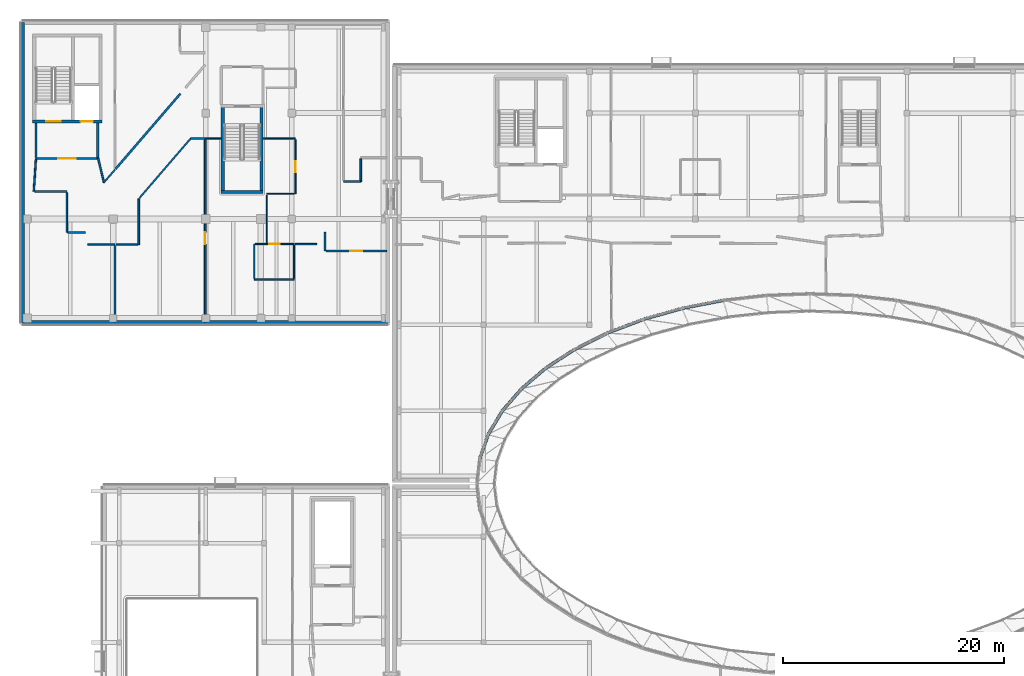
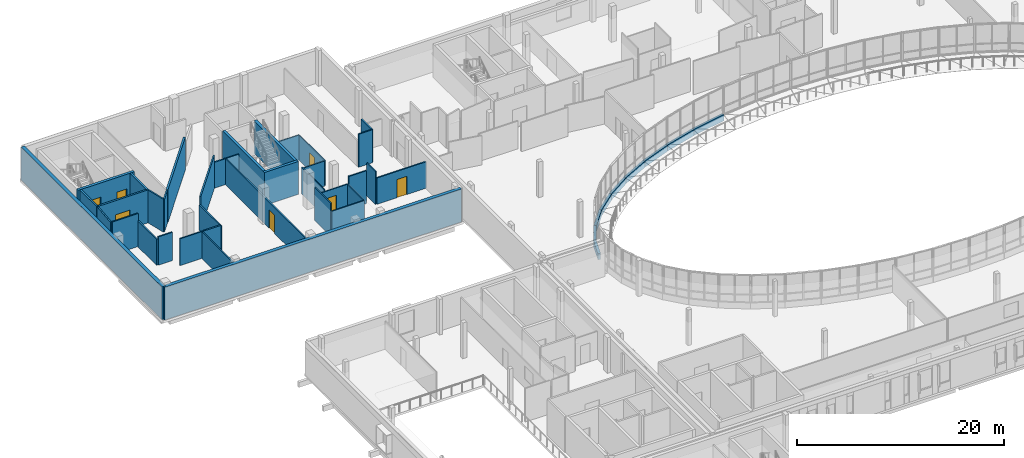
# One storey, part 44 of 73: 46 walls, 7 doors, 7 openings.
"""IFC4 building model written with IfcOpenShell, lengths in metres."""

from ifc_helpers import new_model, si_unit, direction, frame, frame_2d, origin, place, context, subcontext, project, spatial, rectangle, extrude, material, layer, layer_set, type_object, element, fill, save


model = new_model("IFC4")

# Units and contexts
model_context = context("Model", 3, precision=1e-05, world=origin(), true_north=direction((0.0, 1.0)))
body_context = subcontext(model_context, "Body", "Model", "MODEL_VIEW")
ifc_project = project(units=[si_unit("LENGTHUNIT", "METRE"), si_unit("AREAUNIT", "SQUARE_METRE"), si_unit("VOLUMEUNIT", "CUBIC_METRE"), si_unit("PLANEANGLEUNIT", "RADIAN"), si_unit("MASSUNIT", "GRAM", prefix="KILO")], contexts=[model_context])

# Site, building, storey
site_placement = place(None, origin())
site = spatial("IfcSite", under=ifc_project, at=site_placement, CompositionType="ELEMENT")
building_placement = place(site_placement, origin())
building = spatial("IfcBuilding", under=site, at=building_placement, Name="Mzevani Central Library", CompositionType="ELEMENT")
storey_placement = place(building_placement, frame((0.0, 0.0, 9.60009765625)))
storey = spatial("IfcBuildingStorey", under=building, at=storey_placement, Name="L02", CompositionType="ELEMENT", Elevation=9.60009765625)

# Wall
ifc_material_1 = material(Name="Concrete C35/45", Category="concrete")
ifc_layer_1 = layer(ifc_material_1, 0.199951171875, Name="Compartment Wall 200")
ifc_layer_set_1 = layer_set([ifc_layer_1], Name="Concrete C35/45")
wall_type_1 = type_object("IfcWallType", Name="Compartment Wall 200", PredefinedType="STANDARD", material=ifc_layer_set_1)
wall_1_placement = place(storey_placement, frame((13.800048828125, 108.699951171875, 0.0), z_axis=(0.0, 0.0, 1.0), x_axis=(0.0, -1.0, 0.0)))
element("IfcWall", 1, at=wall_1_placement, inside=storey, type_object=wall_type_1, Name="L02 Firefighting Stair and Lift Lobby C2A Enclosure Wall 1", PredefinedType="STANDARD", context=body_context, shape_type="SweptSolid", body=[
    extrude(rectangle(XDim=3.199951171875, YDim=0.199951171875, at=frame_2d((1.60009765625, 0.0))), origin(), (0.0, 0.0, 1.0), 3.8798828125),
])

# Wall, opening, door
wall_2_placement = place(storey_placement, frame((13.800048828125, 105.5, 0.0), z_axis=(0.0, 0.0, 1.0), x_axis=(1.0, 0.0, 0.0)))
wall_2 = element("IfcWall", 2, at=wall_2_placement, inside=storey, type_object=wall_type_1, Name="L02 Firefighting Stair and Lift Lobby C2A Enclosure Wall 2", PredefinedType="STANDARD", context=body_context, shape_type="SweptSolid", body=[
    extrude(rectangle(XDim=5.599853515625, YDim=0.199951171875, at=frame_2d((2.7998046875, 0.0))), origin(), (0.0, 0.0, 1.0), 3.8798828125),
])
opening_1_placement = place(wall_2_placement, frame((2.0, 0.0, 0.0)))
opening_1 = element("IfcOpeningElement", 3, at=opening_1_placement, cuts=wall_2, Name="Opening FD-02", PredefinedType="OPENING", context=body_context, shape_type="SweptSolid", body=[
    extrude(rectangle(XDim=1.60009765625, YDim=2.199951171875, at=frame_2d((0.800048828125, 1.10009765625))), frame((0.0, 0.10986328125, 0.0), z_axis=(0.0, -1.0, 0.0), x_axis=(1.0, 0.0, 0.0)), (0.0, 0.0, 1.0), 0.219970703125),
])
ifc_material_2 = material(Name="Fire-rated steel door assembly", Category="steel")
door_type_1 = type_object("IfcDoorType", Name="Fire Lobby Double Door 1600x2200", OperationType="NOTDEFINED", PredefinedType="DOOR", material=ifc_material_2)
door_1_placement = place(opening_1_placement, origin())
door_1 = element("IfcDoor", 4, at=door_1_placement, inside=storey, type_object=door_type_1, Name="L02 Firefighting Stair and Lift Lobby C2A Smoke-Control Door", OperationType="DOUBLE_DOOR_SINGLE_SWING", OverallHeight=2.199951171875, OverallWidth=1.60009765625, PredefinedType="DOOR", context=body_context, shape_type="SweptSolid", body=[
    extrude(rectangle(XDim=1.60009765625, YDim=2.199951171875, at=frame_2d((0.800048828125, 1.10009765625))), frame((0.0, 0.02490234375, 0.0), z_axis=(0.0, -1.0, 0.0), x_axis=(1.0, 0.0, 0.0)), (0.0, 0.0, 1.0), 0.050048828125),
])
fill(opening_1, door_1)

# Walls
wall_3_placement = place(storey_placement, frame((19.39990234375, 105.5, 0.0), z_axis=(0.0, 0.0, 1.0), x_axis=(0.0, 1.0, 0.0)))
element("IfcWall", 5, at=wall_3_placement, inside=storey, type_object=wall_type_1, Name="L02 Firefighting Stair and Lift Lobby C2A Enclosure Wall 3", PredefinedType="STANDARD", context=body_context, shape_type="SweptSolid", body=[
    extrude(rectangle(XDim=3.199951171875, YDim=0.199951171875, at=frame_2d((1.60009765625, 0.0))), origin(), (0.0, 0.0, 1.0), 3.8798828125),
])
wall_4_placement = place(storey_placement, frame((26.89990234375, 111.369384765625, 0.0), z_axis=(0.0, 0.0, 1.0), x_axis=(-0.652372072254, -0.757898858254, 0.0)))
element("IfcWall", 6, at=wall_4_placement, inside=storey, type_object=wall_type_1, Name="L02 V2 Partition IW-COMP (411)", PredefinedType="STANDARD", context=body_context, shape_type="SweptSolid", body=[
    extrude(rectangle(XDim=8.997314453125, YDim=0.199951171875, at=frame_2d((4.49853515625, 0.0))), origin(), (0.0, 0.0, 1.0), 3.8798828125),
])

# Wall, openings, doors
ifc_material_3 = material(Name="Concrete C40/50", Category="concrete")
ifc_layer_2 = layer(ifc_material_3, 0.300048828125, Name="Core Shear Wall 300")
ifc_layer_set_2 = layer_set([ifc_layer_2], Name="Concrete C40/50")
wall_type_2 = type_object("IfcWallType", Name="Core Shear Wall 300", PredefinedType="SHEAR", material=ifc_layer_set_2)
wall_5_placement = place(storey_placement, frame((19.800048828125, 108.85009765625, 0.0), z_axis=(0.0, 0.0, 1.0), x_axis=(-1.0, 0.0, 0.0)))
wall_5 = element("IfcWall", 7, at=wall_5_placement, inside=storey, type_object=wall_type_2, Name="L02 Core C2A North-West Firefighting Core Shear Wall (-y)", PredefinedType="SHEAR", context=body_context, shape_type="SweptSolid", body=[
    extrude(rectangle(XDim=6.300048828125, YDim=0.300048828125, at=frame_2d((3.14990234375, 0.0))), origin(), (0.0, 0.0, 1.0), 3.8798828125),
])
opening_2_placement = place(wall_5_placement, frame((3.75, 0.0, 0.0)))
opening_2 = element("IfcOpeningElement", 8, at=opening_2_placement, cuts=wall_5, Name="Opening FD-01", PredefinedType="OPENING", context=body_context, shape_type="SweptSolid", body=[
    extrude(rectangle(XDim=1.300048828125, YDim=2.199951171875, at=frame_2d((0.64990234375, 1.10009765625))), frame((0.0, 0.16015625, 0.0), z_axis=(0.0, -1.0, 0.0), x_axis=(1.0, 0.0, 0.0)), (0.0, 0.0, 1.0), 0.320068359375),
])
opening_3_placement = place(wall_5_placement, frame((0.85009765625, 0.0, 0.0)))
opening_3 = element("IfcOpeningElement", 9, at=opening_3_placement, cuts=wall_5, Name="Opening LD-02", PredefinedType="OPENING", context=body_context, shape_type="SweptSolid", body=[
    extrude(rectangle(XDim=1.10009765625, YDim=2.14990234375, at=frame_2d((0.550048828125, 1.074951171875))), frame((0.0, 0.16015625, 0.0), z_axis=(0.0, -1.0, 0.0), x_axis=(1.0, 0.0, 0.0)), (0.0, 0.0, 1.0), 0.320068359375),
])
door_type_2 = type_object("IfcDoorType", Name="Fire Stair Door 1300x2200", OperationType="NOTDEFINED", PredefinedType="DOOR", material=ifc_material_2)
door_2_placement = place(opening_2_placement, origin())
door_2 = element("IfcDoor", 10, at=door_2_placement, inside=storey, type_object=door_type_2, Name="L02 ST-03 Protected Exit Stair Door", OperationType="SINGLE_SWING_LEFT", OverallHeight=2.199951171875, OverallWidth=1.300048828125, PredefinedType="DOOR", context=body_context, shape_type="SweptSolid", body=[
    extrude(rectangle(XDim=1.300048828125, YDim=2.199951171875, at=frame_2d((0.64990234375, 1.10009765625))), frame((0.0, 0.02490234375, 0.0), z_axis=(0.0, -1.0, 0.0), x_axis=(1.0, 0.0, 0.0)), (0.0, 0.0, 1.0), 0.050048828125),
])
fill(opening_2, door_2)
ifc_material_4 = material(Name="Brushed stainless steel door", Category="steel")
door_type_3 = type_object("IfcDoorType", Name="Firefighting Lift Landing Door 1100x2150", OperationType="NOTDEFINED", PredefinedType="DOOR", material=ifc_material_4)
door_3_placement = place(opening_3_placement, origin())
door_3 = element("IfcDoor", 11, at=door_3_placement, inside=storey, type_object=door_type_3, Name="L02 Lift LF-FF1 Sliding Landing Door", OperationType="SLIDING_TO_LEFT", OverallHeight=2.14990234375, OverallWidth=1.10009765625, PredefinedType="DOOR", context=body_context, shape_type="SweptSolid", body=[
    extrude(rectangle(XDim=1.10009765625, YDim=2.14990234375, at=frame_2d((0.550048828125, 1.074951171875))), frame((0.0, 0.02490234375, 0.0), z_axis=(0.0, -1.0, 0.0), x_axis=(1.0, 0.0, 0.0)), (0.0, 0.0, 1.0), 0.050048828125),
])
fill(opening_3, door_3)

# Walls
wall_6_placement = place(storey_placement, frame((34.39990234375, 102.449951171875, 0.0), z_axis=(0.0, 0.0, 1.0), x_axis=(-1.0, 0.0, 0.0)))
element("IfcWall", 12, at=wall_6_placement, inside=storey, type_object=wall_type_2, Name="L02 Core C2B Stacks East Escape Stair Shear Wall (-y)", PredefinedType="SHEAR", context=body_context, shape_type="SweptSolid", body=[
    extrude(rectangle(XDim=3.7998046875, YDim=0.300048828125, at=frame_2d((1.89990234375, 0.0))), origin(), (0.0, 0.0, 1.0), 3.8798828125),
])
for number, where, z_axis, x_axis, name in (
    (13, (30.75, 102.300048828125, 0.0), (0.0, 0.0, 1.0), (0.0, 1.0, 0.0), "L02 Core C2B Stacks East Escape Stair Shear Wall (-x)"),
    (14, (34.25, 110.39990234375, 0.0), (0.0, 0.0, 1.0), (0.0, -1.0, 0.0), "L02 Core C2B Stacks East Escape Stair Shear Wall (+x)"),
):
    element("IfcWall", number, at=place(storey_placement, frame(where, z_axis=z_axis, x_axis=x_axis)), inside=storey, type_object=wall_type_2, Name=name, PredefinedType="SHEAR", context=body_context, shape_type="SweptSolid", body=[
        extrude(rectangle(XDim=8.099853515625, YDim=0.300048828125, at=frame_2d((4.0498046875, 0.0))), origin(), (0.0, 0.0, 1.0), 3.8798828125),
    ])
ifc_material_5 = material(Name="Precast concrete C40/50", Category="concrete")
ifc_layer_3 = layer(ifc_material_5, 0.280029296875, Name="Court Spandrel Wall 280")
ifc_layer_set_3 = layer_set([ifc_layer_3], Name="Precast concrete C40/50")
wall_type_3 = type_object("IfcWallType", Name="Court Spandrel Wall 280", PredefinedType="STANDARD", material=ifc_layer_set_3)
wall_7_placement = place(storey_placement, frame((76.122314453125, 92.621337890625, 0.0), z_axis=(0.0, 0.0, 1.0), x_axis=(-0.981969613273, -0.189038828311, 0.0)))
element("IfcWall", 15, at=wall_7_placement, inside=storey, type_object=wall_type_3, Name="L02 Elliptical Court Spandrel 15", PredefinedType="STANDARD", context=body_context, shape_type="SweptSolid", body=[
    extrude(rectangle(XDim=3.783935546875, YDim=0.280029296875, at=frame_2d((1.89208984375, 0.0))), origin(), (0.0, 0.0, 1.0), 0.719970703125),
])
wall_8_placement = place(storey_placement, frame((72.375, 91.88330078125, 0.0), z_axis=(0.0, 0.0, 1.0), x_axis=(-0.963054168118, -0.269307759395, 0.0)))
element("IfcWall", 16, at=wall_8_placement, inside=storey, type_object=wall_type_3, Name="L02 Elliptical Court Spandrel 16", PredefinedType="STANDARD", context=body_context, shape_type="SweptSolid", body=[
    extrude(rectangle(XDim=3.654296875, YDim=0.280029296875, at=frame_2d((1.8271484375, 0.0))), origin(), (0.0, 0.0, 1.0), 0.719970703125),
])
wall_9_placement = place(storey_placement, frame((68.832275390625, 90.87548828125, 0.0), z_axis=(0.0, 0.0, 1.0), x_axis=(-0.935124674426, -0.354318844092, 0.0)))
element("IfcWall", 17, at=wall_9_placement, inside=storey, type_object=wall_type_3, Name="L02 Elliptical Court Spandrel 17", PredefinedType="STANDARD", context=body_context, shape_type="SweptSolid", body=[
    extrude(rectangle(XDim=3.4892578125, YDim=0.280029296875, at=frame_2d((1.74462890625, 0.0))), origin(), (0.0, 0.0, 1.0), 0.719970703125),
])
wall_10_placement = place(storey_placement, frame((65.552490234375, 89.6162109375, 0.0), z_axis=(0.0, 0.0, 1.0), x_axis=(-0.89538829801, -0.44528619537, 0.0)))
element("IfcWall", 18, at=wall_10_placement, inside=storey, type_object=wall_type_3, Name="L02 Elliptical Court Spandrel 18", PredefinedType="STANDARD", context=body_context, shape_type="SweptSolid", body=[
    extrude(rectangle(XDim=3.295166015625, YDim=0.280029296875, at=frame_2d((1.6474609375, 0.0))), origin(), (0.0, 0.0, 1.0), 0.719970703125),
])
wall_11_placement = place(storey_placement, frame((62.58984375, 88.12744140625, 0.0), z_axis=(0.0, 0.0, 1.0), x_axis=(-0.839733807204, -0.54299828088, 0.0)))
element("IfcWall", 19, at=wall_11_placement, inside=storey, type_object=wall_type_3, Name="L02 Elliptical Court Spandrel 19", PredefinedType="STANDARD", context=body_context, shape_type="SweptSolid", body=[
    extrude(rectangle(XDim=3.081298828125, YDim=0.280029296875, at=frame_2d((1.54052734375, 0.0))), origin(), (0.0, 0.0, 1.0), 0.719970703125),
])
wall_12_placement = place(storey_placement, frame((59.99365234375, 86.434326171875, 0.0), z_axis=(0.0, 0.0, 1.0), x_axis=(-0.762423614177, -0.647078227531, 0.0)))
element("IfcWall", 20, at=wall_12_placement, inside=storey, type_object=wall_type_3, Name="L02 Elliptical Court Spandrel 20", PredefinedType="STANDARD", context=body_context, shape_type="SweptSolid", body=[
    extrude(rectangle(XDim=2.859619140625, YDim=0.280029296875, at=frame_2d((1.4296875, 0.0))), origin(), (0.0, 0.0, 1.0), 0.719970703125),
])
wall_13_placement = place(storey_placement, frame((57.807373046875, 84.5654296875, 0.0), z_axis=(0.0, 0.0, 1.0), x_axis=(-0.656194711624, -0.754591611693, 0.0)))
element("IfcWall", 21, at=wall_13_placement, inside=storey, type_object=wall_type_3, Name="L02 Elliptical Court Spandrel 21", PredefinedType="STANDARD", context=body_context, shape_type="SweptSolid", body=[
    extrude(rectangle(XDim=2.64501953125, YDim=0.280029296875, at=frame_2d((1.322509765625, 0.0))), origin(), (0.0, 0.0, 1.0), 0.719970703125),
])
wall_14_placement = place(storey_placement, frame((56.067626953125, 82.552001953125, 0.0), z_axis=(0.0, 0.0, 1.0), x_axis=(-0.513603793852, -0.858027472137, 0.0)))
element("IfcWall", 22, at=wall_14_placement, inside=storey, type_object=wall_type_3, Name="L02 Elliptical Court Spandrel 22", PredefinedType="STANDARD", context=body_context, shape_type="SweptSolid", body=[
    extrude(rectangle(XDim=2.4560546875, YDim=0.280029296875, at=frame_2d((1.22802734375, 0.0))), origin(), (0.0, 0.0, 1.0), 0.719970703125),
])
wall_15_placement = place(storey_placement, frame((54.8037109375, 80.427734375, 0.0), z_axis=(0.0, 0.0, 1.0), x_axis=(-0.331008570157, -0.943627747834, 0.0)))
element("IfcWall", 23, at=wall_15_placement, inside=storey, type_object=wall_type_3, Name="L02 Elliptical Court Spandrel 23", PredefinedType="STANDARD", context=body_context, shape_type="SweptSolid", body=[
    extrude(rectangle(XDim=2.31298828125, YDim=0.280029296875, at=frame_2d((1.156494140625, 0.0))), origin(), (0.0, 0.0, 1.0), 0.719970703125),
])
ifc_layer_4 = layer(ifc_material_5, 0.3798828125, Name="Exterior Thermal Concrete Wall 380")
ifc_layer_set_4 = layer_set([ifc_layer_4], Name="Precast concrete C40/50")
wall_type_4 = type_object("IfcWallType", Name="Exterior Thermal Concrete Wall 380", PredefinedType="STANDARD", material=ifc_layer_set_4)
wall_16_placement = place(storey_placement, frame((45.7099609375, 90.590087890625, 0.0), z_axis=(0.0, 0.0, 1.0), x_axis=(-1.0, 0.0, 0.0)))
element("IfcWall", 24, at=wall_16_placement, inside=storey, type_object=wall_type_4, Name="L02 V2 Exterior Thermal Wall (24)", PredefinedType="STANDARD", context=body_context, shape_type="SweptSolid", body=[
    extrude(rectangle(XDim=33.119873046875, YDim=0.3798828125, at=frame_2d((16.56005859375, 0.0))), origin(), (0.0, 0.0, 1.0), 3.8798828125),
])
wall_17_placement = place(storey_placement, frame((12.590087890625, 90.590087890625, 0.0), z_axis=(0.0, 0.0, 1.0), x_axis=(0.0, 1.0, 0.0)))
element("IfcWall", 25, at=wall_17_placement, inside=storey, type_object=wall_type_4, Name="L02 V2 Exterior Thermal Wall (25)", PredefinedType="STANDARD", context=body_context, shape_type="SweptSolid", body=[
    extrude(rectangle(XDim=27.219970703125, YDim=0.3798828125, at=frame_2d((13.60986328125, 0.0))), origin(), (0.0, 0.0, 1.0), 3.8798828125),
])
ifc_material_6 = material(Name="Fire-rated gypsum board", Category="gypsum")
ifc_layer_5 = layer(ifc_material_6, 0.1201171875, Name="Partition Acoustic 120")
ifc_layer_set_5 = layer_set([ifc_layer_5], Name="Fire-rated gypsum board")
wall_type_5 = type_object("IfcWallType", Name="Partition Acoustic 120", PredefinedType="PARTITIONING", material=ifc_layer_set_5)
wall_18_placement = place(storey_placement, frame((37.205078125, 94.52490234375, 0.0), z_axis=(0.0, 0.0, 1.0), x_axis=(-1.0, 0.0, 0.0)))
element("IfcWall", 26, at=wall_18_placement, inside=storey, type_object=wall_type_5, Name="L02 V2 Partition IW-02 (391)", PredefinedType="PARTITIONING", context=body_context, shape_type="SweptSolid", body=[
    extrude(rectangle(XDim=3.60009765625, YDim=0.1201171875, at=frame_2d((1.800048828125, 0.0))), origin(), (0.0, 0.0, 1.0), 3.010009765625),
])
wall_19_placement = place(storey_placement, frame((33.60498046875, 94.625, 0.0), z_axis=(0.0, 0.0, 1.0), x_axis=(0.0, 1.0, 0.0)))
element("IfcWall", 27, at=wall_19_placement, inside=storey, type_object=wall_type_5, Name="L02 V2 Partition IW-02 (392)", PredefinedType="PARTITIONING", context=body_context, shape_type="SweptSolid", body=[
    extrude(rectangle(XDim=3.10009765625, YDim=0.1201171875, at=frame_2d((1.550048828125, 0.0))), origin(), (0.0, 0.0, 1.0), 3.8798828125),
])

# Wall, opening, door
wall_20_placement = place(storey_placement, frame((33.705078125, 97.72509765625, 0.0), z_axis=(0.0, 0.0, 1.0), x_axis=(1.0, 0.0, 0.0)))
wall_20 = element("IfcWall", 28, at=wall_20_placement, inside=storey, type_object=wall_type_5, Name="L02 V2 Partition IW-02 (393)", PredefinedType="PARTITIONING", context=body_context, shape_type="SweptSolid", body=[
    extrude(rectangle(XDim=3.5, YDim=0.1201171875, at=frame_2d((1.75, 0.0))), origin(), (0.0, 0.0, 1.0), 3.010009765625),
])
opening_4_placement = place(wall_20_placement, frame((1.27490234375, 0.0, 0.0)))
opening_4 = element("IfcOpeningElement", 29, at=opening_4_placement, cuts=wall_20, Name="Opening ID-02", PredefinedType="OPENING", context=body_context, shape_type="SweptSolid", body=[
    extrude(rectangle(XDim=0.949951171875, YDim=2.14990234375, at=frame_2d((0.47509765625, 1.074951171875))), frame((0.0, 0.070068359375, 0.0), z_axis=(0.0, -1.0, 0.0), x_axis=(1.0, 0.0, 0.0)), (0.0, 0.0, 1.0), 0.14013671875),
])
ifc_material_7 = material(Name="Fire-rated solid oak leaf")
door_type_4 = type_object("IfcDoorType", Name="Accessible WC Door 950x2150", OperationType="NOTDEFINED", PredefinedType="DOOR", material=ifc_material_7)
door_4_placement = place(opening_4_placement, origin())
door_4 = element("IfcDoor", 30, at=door_4_placement, inside=storey, type_object=door_type_4, Name="L02 Accessible WC and Public Toilet V2 Door", OperationType="SINGLE_SWING_LEFT", OverallHeight=2.14990234375, OverallWidth=0.949951171875, PredefinedType="DOOR", context=body_context, shape_type="SweptSolid", body=[
    extrude(rectangle(XDim=0.949951171875, YDim=2.14990234375, at=frame_2d((0.47509765625, 1.074951171875))), frame((0.0, 0.02490234375, 0.0), z_axis=(0.0, -1.0, 0.0), x_axis=(1.0, 0.0, 0.0)), (0.0, 0.0, 1.0), 0.050048828125),
])
fill(opening_4, door_4)

# Walls
wall_21_placement = place(storey_placement, frame((37.205078125, 97.625, 0.0), z_axis=(0.0, 0.0, 1.0), x_axis=(0.0, -1.0, 0.0)))
element("IfcWall", 31, at=wall_21_placement, inside=storey, type_object=wall_type_5, Name="L02 V2 Partition IW-02 (394)", PredefinedType="PARTITIONING", context=body_context, shape_type="SweptSolid", body=[
    extrude(rectangle(XDim=3.0, YDim=0.1201171875, at=frame_2d((1.5, 0.0))), origin(), (0.0, 0.0, 1.0), 3.010009765625),
])
ifc_layer_6 = layer(ifc_material_6, 0.10009765625, Name="Partition Gypsum 100")
ifc_layer_set_6 = layer_set([ifc_layer_6], Name="Fire-rated gypsum board")
wall_type_6 = type_object("IfcWallType", Name="Partition Gypsum 100", PredefinedType="PARTITIONING", material=ifc_layer_set_6)
wall_22_placement = place(storey_placement, frame((34.39990234375, 107.300048828125, 0.0), z_axis=(0.0, 0.0, 1.0), x_axis=(1.0, 0.0, 0.0)))
element("IfcWall", 32, at=wall_22_placement, inside=storey, type_object=wall_type_6, Name="L02 V2 Partition IW-01 (416)", PredefinedType="PARTITIONING", context=body_context, shape_type="SweptSolid", body=[
    extrude(rectangle(XDim=2.93505859375, YDim=0.10009765625, at=frame_2d((1.467529296875, 0.0))), origin(), (0.0, 0.0, 1.0), 2.9599609375),
])

# Wall, opening, door
wall_23_placement = place(storey_placement, frame((37.3349609375, 107.199951171875, 0.0), z_axis=(0.0, 0.0, 1.0), x_axis=(0.0, -1.0, 0.0)))
wall_23 = element("IfcWall", 33, at=wall_23_placement, inside=storey, type_object=wall_type_6, Name="L02 V2 Partition IW-01 (417)", PredefinedType="PARTITIONING", context=body_context, shape_type="SweptSolid", body=[
    extrude(rectangle(XDim=4.925048828125, YDim=0.10009765625, at=frame_2d((2.46240234375, 0.0))), origin(), (0.0, 0.0, 1.0), 2.9599609375),
])
opening_5_placement = place(wall_23_placement, frame((1.96240234375, 0.0, 0.0)))
opening_5 = element("IfcOpeningElement", 34, at=opening_5_placement, cuts=wall_23, Name="Opening ID-04", PredefinedType="OPENING", context=body_context, shape_type="SweptSolid", body=[
    extrude(rectangle(XDim=1.0, YDim=2.14990234375, at=frame_2d((0.5, 1.074951171875))), frame((0.0, 0.06005859375, 0.0), z_axis=(0.0, -1.0, 0.0), x_axis=(1.0, 0.0, 0.0)), (0.0, 0.0, 1.0), 0.1201171875),
])
door_type_5 = type_object("IfcDoorType", Name="Staff Office Door 1000x2150", OperationType="NOTDEFINED", PredefinedType="DOOR", material=ifc_material_7)
door_5_placement = place(opening_5_placement, origin())
door_5 = element("IfcDoor", 35, at=door_5_placement, inside=storey, type_object=door_type_5, Name="L02 Collection Curators Office Door", OperationType="SINGLE_SWING_RIGHT", OverallHeight=2.14990234375, OverallWidth=1.0, PredefinedType="DOOR", context=body_context, shape_type="SweptSolid", body=[
    extrude(rectangle(XDim=1.0, YDim=2.14990234375, at=frame_2d((0.5, 1.074951171875))), frame((0.0, 0.02490234375, 0.0), z_axis=(0.0, -1.0, 0.0), x_axis=(1.0, 0.0, 0.0)), (0.0, 0.0, 1.0), 0.050048828125),
])
fill(opening_5, door_5)

# Walls
wall_24_placement = place(storey_placement, frame((37.235107421875, 102.27490234375, 0.0), z_axis=(0.0, 0.0, 1.0), x_axis=(-1.0, 0.0, 0.0)))
element("IfcWall", 36, at=wall_24_placement, inside=storey, type_object=wall_type_6, Name="L02 V2 Partition IW-01 (418)", PredefinedType="PARTITIONING", context=body_context, shape_type="SweptSolid", body=[
    extrude(rectangle(XDim=2.510009765625, YDim=0.10009765625, at=frame_2d((1.2548828125, 0.0))), origin(), (0.0, 0.0, 1.0), 2.9599609375),
])
wall_25_placement = place(storey_placement, frame((34.72509765625, 102.175048828125, 0.0), z_axis=(0.0, 0.0, 1.0), x_axis=(0.0, -1.0, 0.0)))
element("IfcWall", 37, at=wall_25_placement, inside=storey, type_object=wall_type_6, Name="L02 V2 Partition IW-01 (419)", PredefinedType="PARTITIONING", context=body_context, shape_type="SweptSolid", body=[
    extrude(rectangle(XDim=4.35009765625, YDim=0.10009765625, at=frame_2d((2.175048828125, 0.0))), origin(), (0.0, 0.0, 1.0), 3.159912109375),
])
wall_26_placement = place(storey_placement, frame((29.14990234375, 107.300048828125, 0.0), z_axis=(0.0, 0.0, 1.0), x_axis=(1.0, 0.0, 0.0)))
element("IfcWall", 38, at=wall_26_placement, inside=storey, type_object=wall_type_6, Name="L02 V2 Partition IW-01 (420)", PredefinedType="PARTITIONING", context=body_context, shape_type="SweptSolid", body=[
    extrude(rectangle(XDim=1.4501953125, YDim=0.10009765625, at=frame_2d((0.72509765625, 0.0))), origin(), (0.0, 0.0, 1.0), 3.059814453125),
])
ifc_layer_7 = layer(ifc_material_6, 0.14990234375, Name="Partition Study 150")
ifc_layer_set_7 = layer_set([ifc_layer_7], Name="Fire-rated gypsum board")
wall_type_7 = type_object("IfcWallType", Name="Partition Study 150", PredefinedType="PARTITIONING", material=ifc_layer_set_7)
wall_27_placement = place(storey_placement, frame((19.9599609375, 103.306884765625, 0.0), z_axis=(0.0, 0.0, 1.0), x_axis=(-0.229592143179, 0.973286929837, 0.0)))
element("IfcWall", 39, at=wall_27_placement, inside=storey, type_object=wall_type_7, Name="L02 V2 Partition IW-03 (395)", PredefinedType="PARTITIONING", context=body_context, shape_type="SweptSolid", body=[
    extrude(rectangle(XDim=2.33837890625, YDim=0.14990234375, at=frame_2d((1.169189453125, 0.0))), origin(), (0.0, 0.0, 1.0), 3.8798828125),
])
wall_28_placement = place(storey_placement, frame((13.793212890625, 105.400146484375, 0.0), z_axis=(0.0, 0.0, 1.0), x_axis=(-0.066440960793, -0.997790358106, 0.0)))
element("IfcWall", 40, at=wall_28_placement, inside=storey, type_object=wall_type_7, Name="L02 V2 Partition IW-03 (396)", PredefinedType="PARTITIONING", context=body_context, shape_type="SweptSolid", body=[
    extrude(rectangle(XDim=2.906494140625, YDim=0.14990234375, at=frame_2d((1.453125, 0.0))), origin(), (0.0, 0.0, 1.0), 3.8798828125),
])
wall_29_placement = place(storey_placement, frame((13.699951171875, 102.5, 0.0), z_axis=(0.0, 0.0, 1.0), x_axis=(1.0, 0.0, 0.0)))
element("IfcWall", 41, at=wall_29_placement, inside=storey, type_object=wall_type_7, Name="L02 V2 Partition IW-03 (397)", PredefinedType="PARTITIONING", context=body_context, shape_type="SweptSolid", body=[
    extrude(rectangle(XDim=2.900146484375, YDim=0.14990234375, at=frame_2d((1.4501953125, 0.0))), origin(), (0.0, 0.0, 1.0), 3.8798828125),
])
wall_30_placement = place(storey_placement, frame((16.60009765625, 102.39990234375, 0.0), z_axis=(0.0, 0.0, 1.0), x_axis=(0.0, -1.0, 0.0)))
element("IfcWall", 42, at=wall_30_placement, inside=storey, type_object=wall_type_7, Name="L02 V2 Partition IW-03 (398)", PredefinedType="PARTITIONING", context=body_context, shape_type="SweptSolid", body=[
    extrude(rectangle(XDim=3.619873046875, YDim=0.14990234375, at=frame_2d((1.81005859375, 0.0))), origin(), (0.0, 0.0, 1.0), 3.059814453125),
])
wall_31_placement = place(storey_placement, frame((16.699951171875, 98.780029296875, 0.0), z_axis=(0.0, 0.0, 1.0), x_axis=(1.0, 0.0, 0.0)))
element("IfcWall", 43, at=wall_31_placement, inside=storey, type_object=wall_type_7, Name="L02 V2 Partition IW-03 (399)", PredefinedType="PARTITIONING", context=body_context, shape_type="SweptSolid", body=[
    extrude(rectangle(XDim=1.580078125, YDim=0.14990234375, at=frame_2d((0.7900390625, 0.0))), origin(), (0.0, 0.0, 1.0), 3.33984375),
])
wall_32_placement = place(storey_placement, frame((18.47509765625, 97.675048828125, 0.0), z_axis=(0.0, 0.0, 1.0), x_axis=(1.0, 0.0, 0.0)))
element("IfcWall", 44, at=wall_32_placement, inside=storey, type_object=wall_type_7, Name="L02 V2 Partition IW-03 (400)", PredefinedType="PARTITIONING", context=body_context, shape_type="SweptSolid", body=[
    extrude(rectangle(XDim=2.489990234375, YDim=0.14990234375, at=frame_2d((1.2451171875, 0.0))), origin(), (0.0, 0.0, 1.0), 3.159912109375),
])
wall_33_placement = place(storey_placement, frame((20.965087890625, 97.574951171875, 0.0), z_axis=(0.0, 0.0, 1.0), x_axis=(0.0, -1.0, 0.0)))
element("IfcWall", 45, at=wall_33_placement, inside=storey, type_object=wall_type_7, Name="L02 V2 Partition IW-03 (401)", PredefinedType="PARTITIONING", context=body_context, shape_type="SweptSolid", body=[
    extrude(rectangle(XDim=6.885009765625, YDim=0.14990234375, at=frame_2d((3.4423828125, 0.0))), origin(), (0.0, 0.0, 1.0), 3.159912109375),
])
wall_34_placement = place(storey_placement, frame((20.965087890625, 104.474609375, 0.0), z_axis=(0.0, 0.0, 1.0), x_axis=(-0.652368947126, -0.75790154824, 0.0)))
element("IfcWall", 46, at=wall_34_placement, inside=storey, type_object=wall_type_7, Name="L02 V2 Partition IW-03 (403)", PredefinedType="PARTITIONING", context=body_context, shape_type="SweptSolid", body=[
    extrude(rectangle(XDim=1.540771484375, YDim=0.14990234375, at=frame_2d((0.7705078125, 0.0))), origin(), (0.0, 0.0, 1.0), 3.8798828125),
])
wall_35_placement = place(storey_placement, frame((23.125, 97.675048828125, 0.0), z_axis=(0.0, 0.0, 1.0), x_axis=(0.0, 1.0, 0.0)))
element("IfcWall", 47, at=wall_35_placement, inside=storey, type_object=wall_type_7, Name="L02 V2 Partition IW-03 (404)", PredefinedType="PARTITIONING", context=body_context, shape_type="SweptSolid", body=[
    extrude(rectangle(XDim=4.158447265625, YDim=0.14990234375, at=frame_2d((2.0791015625, 0.0))), origin(), (0.0, 0.0, 1.0), 3.010009765625),
])
wall_36_placement = place(storey_placement, frame((23.190185546875, 101.9091796875, 0.0), z_axis=(0.0, 0.0, 1.0), x_axis=(0.652381329675, 0.757890889701, 0.0)))
element("IfcWall", 48, at=wall_36_placement, inside=storey, type_object=wall_type_7, Name="L02 V2 Partition IW-03 (405)", PredefinedType="PARTITIONING", context=body_context, shape_type="SweptSolid", body=[
    extrude(rectangle(XDim=7.113037109375, YDim=0.14990234375, at=frame_2d((3.556640625, 0.0))), origin(), (0.0, 0.0, 1.0), 3.8798828125),
])
wall_37_placement = place(storey_placement, frame((27.83056640625, 107.300048828125, 0.0), z_axis=(0.0, 0.0, 1.0), x_axis=(1.0, 0.0, 0.0)))
element("IfcWall", 49, at=wall_37_placement, inside=storey, type_object=wall_type_7, Name="L02 V2 Partition IW-03 (406)", PredefinedType="PARTITIONING", context=body_context, shape_type="SweptSolid", body=[
    extrude(rectangle(XDim=1.3193359375, YDim=0.14990234375, at=frame_2d((0.65966796875, 0.0))), origin(), (0.0, 0.0, 1.0), 3.059814453125),
])

# Wall, opening, door
wall_38_placement = place(storey_placement, frame((29.14990234375, 107.199951171875, 0.0), z_axis=(0.0, 0.0, 1.0), x_axis=(0.0, -1.0, 0.0)))
wall_38 = element("IfcWall", 50, at=wall_38_placement, inside=storey, type_object=wall_type_7, Name="L02 V2 Partition IW-03 (407)", PredefinedType="PARTITIONING", context=body_context, shape_type="SweptSolid", body=[
    extrude(rectangle(XDim=16.510009765625, YDim=0.14990234375, at=frame_2d((8.2548828125, 0.0))), origin(), (0.0, 0.0, 1.0), 3.059814453125),
])
opening_6_placement = place(wall_38_placement, frame((8.405029296875, 0.0, 0.0)))
opening_6 = element("IfcOpeningElement", 51, at=opening_6_placement, cuts=wall_38, Name="Opening FD-04", PredefinedType="OPENING", context=body_context, shape_type="SweptSolid", body=[
    extrude(rectangle(XDim=1.10009765625, YDim=2.14990234375, at=frame_2d((0.550048828125, 1.074951171875))), frame((0.0, 0.0849609375, 0.0), z_axis=(0.0, -1.0, 0.0), x_axis=(1.0, 0.0, 0.0)), (0.0, 0.0, 1.0), 0.169921875),
])
door_type_6 = type_object("IfcDoorType", Name="Fire Compartment Door 1100x2150", OperationType="NOTDEFINED", PredefinedType="DOOR", material=ifc_material_2)
door_6_placement = place(opening_6_placement, origin())
door_6 = element("IfcDoor", 52, at=door_6_placement, inside=storey, type_object=door_type_6, Name="L02 Mobile Compact Shelving Hall L02 South Door", OperationType="SINGLE_SWING_LEFT", OverallHeight=2.14990234375, OverallWidth=1.10009765625, PredefinedType="DOOR", context=body_context, shape_type="SweptSolid", body=[
    extrude(rectangle(XDim=1.10009765625, YDim=2.14990234375, at=frame_2d((0.550048828125, 1.074951171875))), frame((0.0, 0.02490234375, 0.0), z_axis=(0.0, -1.0, 0.0), x_axis=(1.0, 0.0, 0.0)), (0.0, 0.0, 1.0), 0.050048828125),
])
fill(opening_6, door_6)

# Walls
wall_39_placement = place(storey_placement, frame((21.06494140625, 97.675048828125, 0.0), z_axis=(0.0, 0.0, 1.0), x_axis=(1.0, 0.0, 0.0)))
element("IfcWall", 53, at=wall_39_placement, inside=storey, type_object=wall_type_7, Name="L02 V2 Partition IW-03 (408)", PredefinedType="PARTITIONING", context=body_context, shape_type="SweptSolid", body=[
    extrude(rectangle(XDim=1.9599609375, YDim=0.14990234375, at=frame_2d((0.97998046875, 0.0))), origin(), (0.0, 0.0, 1.0), 3.159912109375),
])
wall_40_placement = place(storey_placement, frame((40.02001953125, 98.780029296875, 0.0), z_axis=(0.0, 0.0, 1.0), x_axis=(0.0, -1.0, 0.0)))
element("IfcWall", 54, at=wall_40_placement, inside=storey, type_object=wall_type_7, Name="L02 V2 Partition IW-03 (421)", PredefinedType="PARTITIONING", context=body_context, shape_type="SweptSolid", body=[
    extrude(rectangle(XDim=1.679931640625, YDim=0.14990234375, at=frame_2d((0.83984375, 0.0))), origin(), (0.0, 0.0, 1.0), 3.8798828125),
])

# Wall, opening, door
wall_41_placement = place(storey_placement, frame((40.1201171875, 97.10009765625, 0.0), z_axis=(0.0, 0.0, 1.0), x_axis=(1.0, 0.0, 0.0)))
wall_41 = element("IfcWall", 55, at=wall_41_placement, inside=storey, type_object=wall_type_7, Name="L02 V2 Partition IW-03 (422)", PredefinedType="PARTITIONING", context=body_context, shape_type="SweptSolid", body=[
    extrude(rectangle(XDim=5.489990234375, YDim=0.14990234375, at=frame_2d((2.7451171875, 0.0))), origin(), (0.0, 0.0, 1.0), 3.10986328125),
])
opening_7_placement = place(wall_41_placement, frame((2.195068359375, 0.0, 0.0)))
opening_7 = element("IfcOpeningElement", 56, at=opening_7_placement, cuts=wall_41, Name="Opening FD-04", PredefinedType="OPENING", context=body_context, shape_type="SweptSolid", body=[
    extrude(rectangle(XDim=1.10009765625, YDim=2.14990234375, at=frame_2d((0.550048828125, 1.074951171875))), frame((0.0, 0.0849609375, 0.0), z_axis=(0.0, -1.0, 0.0), x_axis=(1.0, 0.0, 0.0)), (0.0, 0.0, 1.0), 0.169921875),
])
door_7_placement = place(opening_7_placement, origin())
door_7 = element("IfcDoor", 57, at=door_7_placement, inside=storey, type_object=door_type_6, Name="L02 Mobile Compact Shelving Hall L02 North 2 Door", OperationType="SINGLE_SWING_LEFT", OverallHeight=2.14990234375, OverallWidth=1.10009765625, PredefinedType="DOOR", context=body_context, shape_type="SweptSolid", body=[
    extrude(rectangle(XDim=1.10009765625, YDim=2.14990234375, at=frame_2d((0.550048828125, 1.074951171875))), frame((0.0, 0.02490234375, 0.0), z_axis=(0.0, -1.0, 0.0), x_axis=(1.0, 0.0, 0.0)), (0.0, 0.0, 1.0), 0.050048828125),
])
fill(opening_7, door_7)

# Walls
wall_42_placement = place(storey_placement, frame((37.3349609375, 97.72509765625, 0.0), z_axis=(0.0, 0.0, 1.0), x_axis=(1.0, 0.0, 0.0)))
element("IfcWall", 58, at=wall_42_placement, inside=storey, type_object=wall_type_7, Name="L02 V2 Partition IW-03 (423)", PredefinedType="PARTITIONING", context=body_context, shape_type="SweptSolid", body=[
    extrude(rectangle(XDim=1.93994140625, YDim=0.14990234375, at=frame_2d((0.969970703125, 0.0))), origin(), (0.0, 0.0, 1.0), 3.8798828125),
])
wall_43_placement = place(storey_placement, frame((43.25, 105.449951171875, 0.0), z_axis=(0.0, 0.0, 1.0), x_axis=(0.0, -1.0, 0.0)))
element("IfcWall", 59, at=wall_43_placement, inside=storey, type_object=wall_type_7, Name="L02 V2 Partition IW-03 (425)", PredefinedType="PARTITIONING", context=body_context, shape_type="SweptSolid", body=[
    extrude(rectangle(XDim=2.050048828125, YDim=0.14990234375, at=frame_2d((1.02490234375, 0.0))), origin(), (0.0, 0.0, 1.0), 3.8798828125),
])
wall_44_placement = place(storey_placement, frame((43.25, 103.39990234375, 0.0), z_axis=(0.0, 0.0, 1.0), x_axis=(-1.0, 0.0, 0.0)))
element("IfcWall", 60, at=wall_44_placement, inside=storey, type_object=wall_type_7, Name="L02 V2 Partition IW-03 (426)", PredefinedType="PARTITIONING", context=body_context, shape_type="SweptSolid", body=[
    extrude(rectangle(XDim=1.550048828125, YDim=0.14990234375, at=frame_2d((0.77490234375, 0.0))), origin(), (0.0, 0.0, 1.0), 3.8798828125),
])

save(model, "model.ifc")
